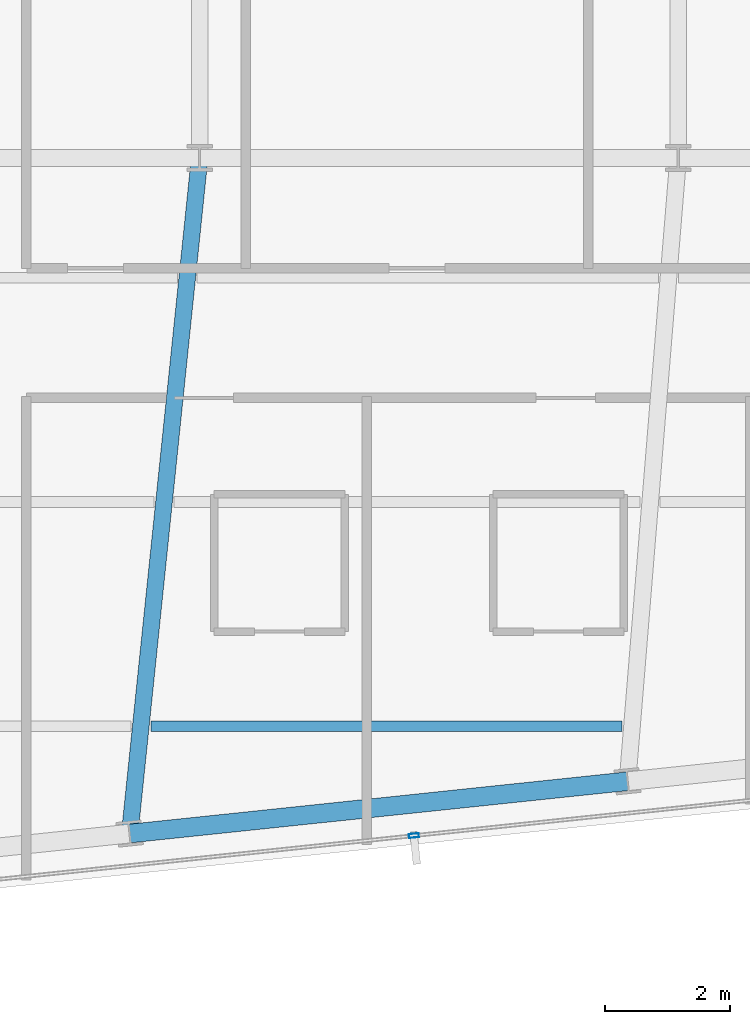
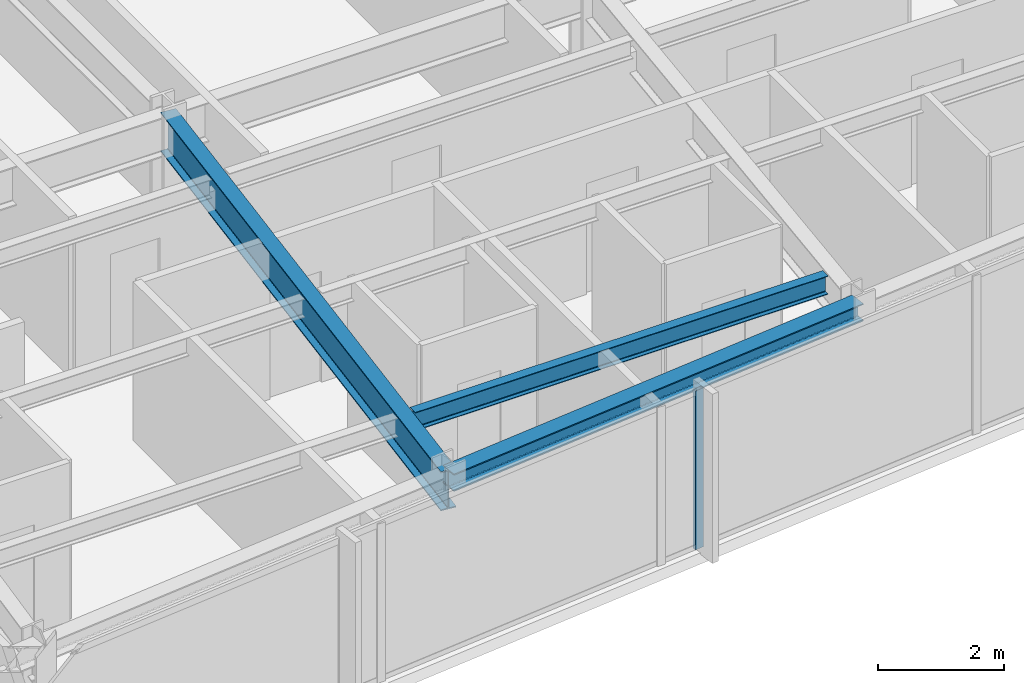
# One storey, part 8 of 33: 3 beams, 1 member, 1 element without a shape of its own.
"""IFC4 building model written with IfcOpenShell, lengths in metres."""

from ifc_helpers import new_model, si_unit, direction, frame, origin, origin_2d, place, context, subcontext, project, spatial, hollow_rectangle, i_section, extrude, material, material_profile, profile_set, type_object, element, aggregate, save


model = new_model("IFC4")

# Units and contexts
model_context = context("Model", 3, precision=1e-05, world=origin(), true_north=direction((0.0, 1.0)))
body_context = subcontext(model_context, "Body", "Model", "MODEL_VIEW")
ifc_project = project(units=[si_unit("LENGTHUNIT", "METRE"), si_unit("AREAUNIT", "SQUARE_METRE"), si_unit("VOLUMEUNIT", "CUBIC_METRE"), si_unit("PLANEANGLEUNIT", "RADIAN"), si_unit("MASSUNIT", "GRAM", prefix="KILO")], contexts=[model_context])

# Site, building, storey
site_placement = place(None, origin())
site = spatial("IfcSite", under=ifc_project, at=site_placement, CompositionType="ELEMENT")
building_placement = place(site_placement, origin())
building = spatial("IfcBuilding", under=site, at=building_placement, Name="Yelkora Congress Tower", CompositionType="ELEMENT")
storey_placement = place(building_placement, frame((0.0, 0.0, 234.199951171875)))
storey = spatial("IfcBuildingStorey", under=building, at=storey_placement, Name="L65", CompositionType="ELEMENT", Elevation=234.199951171875)

# Beams
ifc_material_1 = material(Name="Steel S355J2", Category="steel")
ifc_material_profile_1 = material_profile(ifc_material_1, i_section(OverallWidth=0.26708984375, OverallDepth=0.761962890625, WebThickness=0.014404296875, FlangeThickness=0.021484375, FilletRadius=0.01708984375, at=origin_2d()), Name="IPE 750x173")
ifc_profile_set_1 = profile_set([ifc_material_profile_1], Name="Steel S355J2")
beam_type_1 = type_object("IfcBeamType", Name="BM-GIRD-IPE750", PredefinedType="BEAM", material=ifc_profile_set_1)
beam_1_placement = place(storey_placement, frame((37.277587890625, 14.35791015625, 2.698974609375), z_axis=(0.102964870035, 0.99468499312, 0.0), x_axis=(-0.99468499312, 0.102964870035, 0.0)))
element("IfcBeam", 1, at=beam_1_placement, inside=storey, type_object=beam_type_1, Name="L65 Primary Frame Girder S03", PredefinedType="BEAM", context=body_context, shape_type="SweptSolid", body=[
    extrude(i_section(OverallWidth=0.26708984375, OverallDepth=0.761962890625, WebThickness=0.014404296875, FlangeThickness=0.021484375, FilletRadius=0.01708984375, at=origin_2d()), origin(), (0.0, 0.0, 1.0), 10.89990234375),
])
ifc_material_profile_2 = material_profile(ifc_material_1, i_section(OverallWidth=0.169921875, OverallDepth=0.360107421875, WebThickness=0.008056640625, FlangeThickness=0.0126953125, FilletRadius=0.01806640625, at=origin_2d()), Name="IPE 360")
ifc_profile_set_2 = profile_set([ifc_material_profile_2], Name="Steel S355J2")
beam_type_2 = type_object("IfcBeamType", Name="BM-JOIST-IPE360", PredefinedType="JOIST", material=ifc_profile_set_2)
beam_2_placement = place(storey_placement, frame((37.61572265625, 16.07861328125, 2.900146484375), z_axis=(1.0, 0.0, 0.0), x_axis=(0.0, 1.0, 0.0)))
element("IfcBeam", 2, at=beam_2_placement, inside=storey, type_object=beam_type_2, Name="L65 Composite Floor Joist 2", PredefinedType="JOIST", context=body_context, shape_type="SweptSolid", body=[
    extrude(i_section(OverallWidth=0.169921875, OverallDepth=0.360107421875, WebThickness=0.008056640625, FlangeThickness=0.0126953125, FilletRadius=0.01806640625, at=origin_2d()), origin(), (0.0, 0.0, 1.0), 7.56298828125),
])
ifc_material_profile_3 = material_profile(ifc_material_1, i_section(OverallWidth=0.300048828125, OverallDepth=0.340087890625, WebThickness=0.011962890625, FlangeThickness=0.021484375, FilletRadius=0.027099609375, at=origin_2d()), Name="HEB 340")
ifc_profile_set_3 = profile_set([ifc_material_profile_3], Name="Steel S355J2")
beam_type_3 = type_object("IfcBeamType", Name="BM-SPAN-HEB340", PredefinedType="SPANDREL", material=ifc_profile_set_3)
beam_3_placement = place(storey_placement, frame((37.277587890625, 14.35791015625, 2.91015625), z_axis=(0.99452358891, 0.104512349038, 0.0), x_axis=(-0.104512349038, 0.99452358891, 0.0)))
element("IfcBeam", 3, at=beam_3_placement, inside=storey, type_object=beam_type_3, Name="L65 Perimeter Beam 5", PredefinedType="SPANDREL", context=body_context, shape_type="SweptSolid", body=[
    extrude(i_section(OverallWidth=0.300048828125, OverallDepth=0.340087890625, WebThickness=0.011962890625, FlangeThickness=0.021484375, FilletRadius=0.027099609375, at=origin_2d()), origin(), (0.0, 0.0, 1.0), 8.033447265625),
])

# Curtain wall, member
ifc_material_2 = material(Name="Anodised aluminium and insulated glass", Category="aluminium")
curtain_wall_type = type_object("IfcCurtainWallType", Name="CW-SYS-B4", PredefinedType="NOTDEFINED", material=ifc_material_2)
curtain_wall_placement = place(storey_placement, origin())
curtain_wall = element("IfcCurtainWall", 4, at=curtain_wall_placement, inside=storey, type_object=curtain_wall_type, Name="L65 Unitised Curtain Wall 20", PredefinedType="NOTDEFINED")
ifc_material_3 = material(Name="Anodised aluminium 6063-T6", Category="aluminium")
ifc_material_profile_4 = material_profile(ifc_material_3, hollow_rectangle(XDim=0.06494140625, YDim=0.159912109375, WallThickness=0.00390625, at=origin_2d()), Name="ALU 65x160x4")
ifc_profile_set_4 = profile_set([ifc_material_profile_4], Name="Anodised aluminium 6063-T6")
member_type = type_object("IfcMemberType", Name="MEM-ML-B4", PredefinedType="MULLION", material=ifc_profile_set_4)
member_placement = place(storey_placement, frame((41.838134765625, 14.324462890625, 0.0), z_axis=(0.0, 0.0, 1.0), x_axis=(0.104526664994, -0.994522084373, 0.0)))
member = element("IfcMember", 5, at=member_placement, type_object=member_type, Name="CW-B4 mullion 5", PredefinedType="MULLION", context=body_context, shape_type="SweptSolid", body=[
    extrude(hollow_rectangle(XDim=0.06494140625, YDim=0.159912109375, WallThickness=0.00390625, at=origin_2d()), origin(), (0.0, 0.0, 1.0), 3.080078125),
])
aggregate(curtain_wall, [member])

save(model, "model.ifc")
